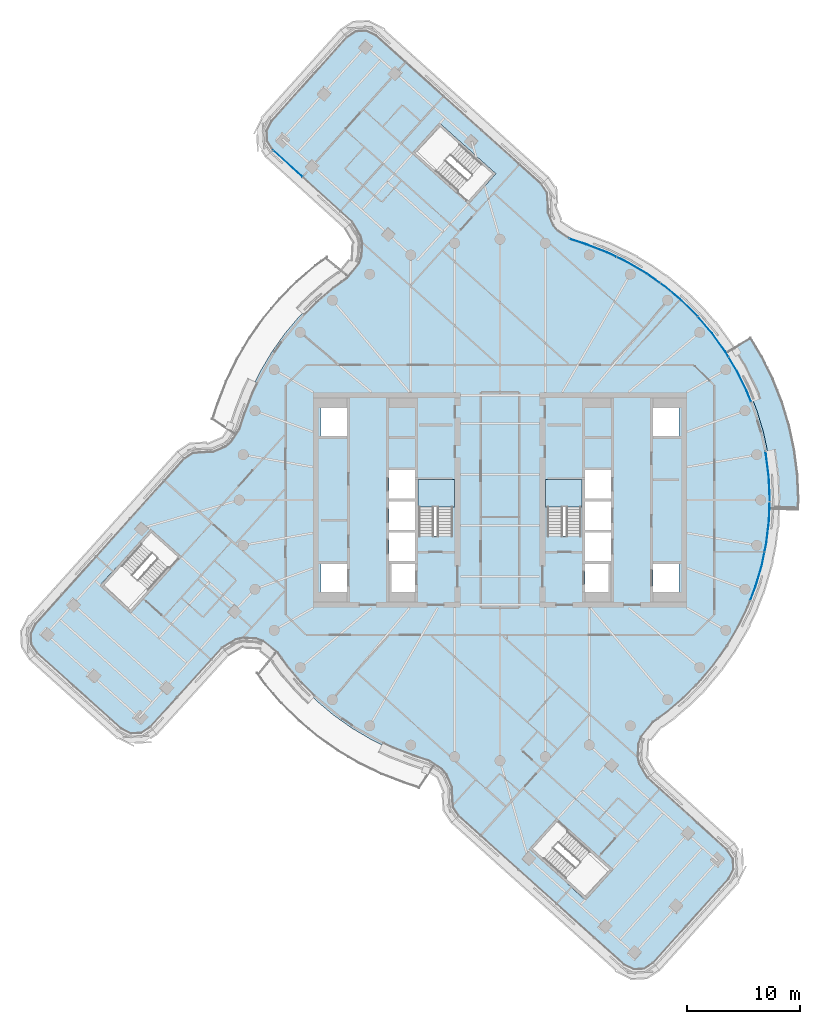
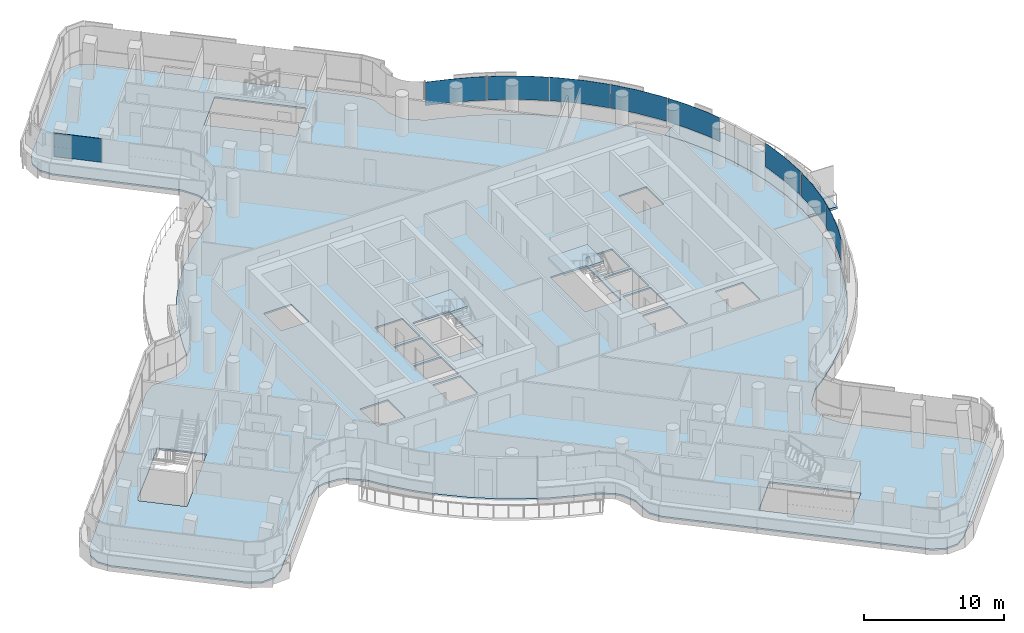
# One storey, part 17 of 31: 9 plates, 4 slabs, 4 elements without a shape of their own.
"""IFC4 building model written with IfcOpenShell, lengths in metres."""

from ifc_helpers import new_model, si_unit, direction, frame, origin, place, context, subcontext, project, spatial, polyline, outline, extrude, material, layer, layer_set, type_object, element, aggregate, save


model = new_model("IFC4")

# Units and contexts
model_context = context("Model", 3, precision=1e-05, world=origin(), true_north=direction((0.0, 1.0)))
body_context = subcontext(model_context, "Body", "Model", "MODEL_VIEW")
ifc_project = project(units=[si_unit("LENGTHUNIT", "METRE"), si_unit("AREAUNIT", "SQUARE_METRE"), si_unit("VOLUMEUNIT", "CUBIC_METRE"), si_unit("PLANEANGLEUNIT", "RADIAN"), si_unit("MASSUNIT", "GRAM", prefix="KILO")], contexts=[model_context])

# Site, building, storey
site_placement = place(None, origin())
site = spatial("IfcSite", under=ifc_project, at=site_placement, CompositionType="ELEMENT")
building_placement = place(site_placement, origin())
building = spatial("IfcBuilding", under=site, at=building_placement, Name="Tamarind Cross Interchange Tower", CompositionType="ELEMENT")
storey_placement = place(building_placement, frame((0.0, 0.0, 207.699951171875)))
storey = spatial("IfcBuildingStorey", under=building, at=storey_placement, Name="L52", CompositionType="ELEMENT", Elevation=207.699951171875)

# Slabs
ifc_material_1 = material(Name="Precast concrete C40", Category="concrete")
ifc_layer_1 = layer(ifc_material_1, 0.199951171875)
ifc_layer_set_1 = layer_set([ifc_layer_1], Name="Precast concrete C40")
slab_type_1 = type_object("IfcSlabType", Name="Balcony slab", PredefinedType="BASESLAB", material=ifc_layer_set_1)
slab_1_placement = place(storey_placement, frame((0.0, 0.0, -0.199951171875)))
element("IfcSlab", 1, at=slab_1_placement, inside=storey, type_object=slab_type_1, Name="SLB-L52-BAL06", PredefinedType="BASESLAB", context=body_context, shape_type="SweptSolid", body=[
    extrude(outline(polyline([(23.963623046875, -0.766357421875), (23.995849609375, 0.103271484375), (23.9052734375, 2.08447265625), (23.6513671875, 4.051513671875), (23.236083984375, 5.99072265625), (22.662109375, 7.88916015625), (21.93310546875, 9.733642578125), (21.054443359375, 11.511474609375), (20.115234375, 13.072509765625), (22.171630859375, 14.309814453125), (23.162109375, 12.663818359375), (24.128662109375, 10.7080078125), (24.9306640625, 8.6787109375), (25.56201171875, 6.59033203125), (26.01904296875, 4.45703125), (26.298095703125, 2.293212890625), (26.397705078125, 0.113525390625), (26.36181640625, -0.855224609375), (23.963623046875, -0.766357421875)])), origin(), (0.0, 0.0, 1.0), 0.199951171875),
])
ifc_material_2 = material(Name="Concrete C35", Category="concrete")
ifc_layer_2 = layer(ifc_material_2, 0.139892578125)
ifc_layer_set_2 = layer_set([ifc_layer_2], Name="Concrete C35")
slab_type_2 = type_object("IfcSlabType", Name="Composite slab 140 Concrete C35", PredefinedType="FLOOR", material=ifc_layer_set_2)
slab_2_placement = place(storey_placement, frame((0.0, 0.0, -0.139892578125)))
element("IfcSlab", 2, at=slab_2_placement, inside=storey, type_object=slab_type_2, Name="Floor slab L52", PredefinedType="FLOOR", context=body_context, shape_type="SweptSolid", body=[
    extrude(outline(polyline([(-27.169189453125, 4.341796875), (-28.00830078125, 3.78662109375), (-41.126708984375, -10.81396484375), (-41.595703125, -11.73681640625), (-41.540283203125, -12.770751953125), (-40.9755859375, -13.638427734375), (-33.537109375, -20.32177734375), (-32.614013671875, -20.790771484375), (-31.580322265625, -20.735595703125), (-30.712646484375, -20.170654296875), (-24.364013671875, -13.17041015625), (-23.238037109375, -12.49462890625), (-22.680419921875, -12.356689453125), (-21.52001953125, -12.421875), (-20.981201171875, -12.62109375), (-19.732177734375, -13.630615234375), (-18.87255859375, -14.820068359375), (-17.584228515625, -16.327880859375), (-16.17578125, -17.72412109375), (-14.656982421875, -18.99951171875), (-13.0380859375, -20.14501953125), (-11.329833984375, -21.15283203125), (-9.54443359375, -22.01611328125), (-7.693603515625, -22.72900390625), (-6.324951171875, -23.180419921875), (-5.24951171875, -23.886962890625), (-4.8876953125, -24.318603515625), (-4.4384765625, -25.364990234375), (-4.418212890625, -26.166015625), (-4.341796875, -27.169189453125), (-3.78662109375, -28.00830078125), (10.81396484375, -41.126708984375), (11.73681640625, -41.595703125), (12.770751953125, -41.540283203125), (13.638427734375, -40.9755859375), (20.32177734375, -33.537109375), (20.790771484375, -32.614013671875), (20.735595703125, -31.580322265625), (20.170654296875, -30.712646484375), (13.17041015625, -24.364013671875), (12.49462890625, -23.238037109375), (12.356689453125, -22.680419921875), (12.421875, -21.52001953125), (12.62109375, -20.981201171875), (13.630615234375, -19.732177734375), (14.820068359375, -18.87255859375), (16.327880859375, -17.584228515625), (17.72412109375, -16.17578125), (18.99951171875, -14.656982421875), (20.14501953125, -13.0380859375), (21.15283203125, -11.329833984375), (22.01611328125, -9.54443359375), (22.72900390625, -7.693603515625), (23.286865234375, -5.79052734375), (23.685546875, -3.84765625), (23.92236328125, -1.878662109375), (23.99560546875, 0.103271484375), (23.9052734375, 2.08447265625), (23.651611328125, 4.051513671875), (23.236083984375, 5.99072265625), (22.662109375, 7.88916015625), (21.93310546875, 9.7333984375), (21.054443359375, 11.511474609375), (20.031982421875, 13.2109375), (18.87255859375, 14.820068359375), (17.584228515625, 16.327880859375), (16.17578125, 17.72412109375), (14.656982421875, 18.99951171875), (13.0380859375, 20.14501953125), (11.329833984375, 21.15283203125), (9.54443359375, 22.01611328125), (7.693603515625, 22.72900390625), (6.324951171875, 23.180419921875), (5.24951171875, 23.886962890625), (4.8876953125, 24.318603515625), (4.4384765625, 25.364990234375), (4.418212890625, 26.166015625), (4.341796875, 27.169189453125), (3.78662109375, 28.00830078125), (-10.81396484375, 41.126708984375), (-11.73681640625, 41.595703125), (-12.770751953125, 41.540283203125), (-13.638427734375, 40.9755859375), (-20.32177734375, 33.537109375), (-20.790771484375, 32.614013671875), (-20.735595703125, 31.580322265625), (-20.170654296875, 30.712646484375), (-13.17041015625, 24.364013671875), (-12.49462890625, 23.238037109375), (-12.356689453125, 22.680419921875), (-12.421875, 21.52001953125), (-12.62109375, 20.981201171875), (-13.630615234375, 19.732177734375), (-14.820068359375, 18.87255859375), (-16.327880859375, 17.584228515625), (-17.72412109375, 16.17578125), (-18.99951171875, 14.656982421875), (-20.14501953125, 13.0380859375), (-21.15283203125, 11.329833984375), (-22.01611328125, 9.54443359375), (-22.72900390625, 7.693603515625), (-23.180419921875, 6.324951171875), (-23.886962890625, 5.24951171875), (-24.318603515625, 4.8876953125), (-25.364990234375, 4.4384765625), (-26.166015625, 4.418212890625), (-27.169189453125, 4.341796875)]), holes=[polyline([(-32.871826171875, -4.918212890625), (-30.78369140625, -2.593994140625), (-30.634765625, -2.727783203125), (-28.25439453125, -4.866455078125), (-28.105712890625, -5.0), (-32.58349609375, -9.98388671875), (-32.732421875, -9.85009765625), (-35.11279296875, -7.71142578125), (-35.261474609375, -7.577880859375), (-35.07080078125, -7.36572265625), (-35.11474609375, -7.32470703125), (-32.871826171875, -4.918212890625)]), polyline([(-13.5, -8.125), (-15.800048828125, -8.125), (-15.800048828125, -5.625), (-13.5, -5.625), (-13.5, -8.125)]), polyline([(-7.5, -8.125), (-9.800048828125, -8.125), (-9.800048828125, -5.625), (-7.5, -5.625), (-7.5, -8.125)]), polyline([(-7.5, -5.375), (-9.800048828125, -5.375), (-9.800048828125, -2.875), (-7.5, -2.875), (-7.5, -5.375)]), polyline([(-7.5, -2.625), (-9.800048828125, -2.625), (-9.800048828125, -0.125), (-7.5, -0.125), (-7.5, -2.625)]), polyline([(-4.199951171875, 1.800048828125), (-4.199951171875, -3.18798828125), (-7.14990234375, -3.18798828125), (-7.14990234375, 1.800048828125), (-4.199951171875, 1.800048828125)]), polyline([(-7.5, 0.125), (-9.800048828125, 0.125), (-9.800048828125, 2.625), (-7.5, 2.625), (-7.5, 0.125)]), polyline([(-13.5, 5.625), (-15.800048828125, 5.625), (-15.800048828125, 8.125), (-13.5, 8.125), (-13.5, 5.625)]), polyline([(-0.49609375, 28.6298828125), (-2.634765625, 26.24951171875), (-2.7685546875, 26.1005859375), (-7.752197265625, 30.57861328125), (-7.61865234375, 30.727294921875), (-5.47998046875, 33.107666015625), (-5.34619140625, 33.25634765625), (-5.1337890625, 33.0654296875), (-5.130126953125, 33.0693359375), (-4.918212890625, 32.871826171875), (-0.362548828125, 28.778564453125), (-0.49609375, 28.6298828125)]), polyline([(4.918212890625, -32.871826171875), (2.593994140625, -30.78369140625), (2.727783203125, -30.634765625), (4.866455078125, -28.25439453125), (5.0, -28.105712890625), (9.98388671875, -32.58349609375), (9.85009765625, -32.732421875), (7.71142578125, -35.11279296875), (7.577880859375, -35.261474609375), (7.36572265625, -35.07080078125), (7.32470703125, -35.11474609375), (4.918212890625, -32.871826171875)]), polyline([(7.5, -5.625), (9.800048828125, -5.625), (9.800048828125, -8.125), (7.5, -8.125), (7.5, -5.625)]), polyline([(13.5, -5.625), (15.800048828125, -5.625), (15.800048828125, -8.125), (13.5, -8.125), (13.5, -5.625)]), polyline([(7.5, -2.875), (9.800048828125, -2.875), (9.800048828125, -5.375), (7.5, -5.375), (7.5, -2.875)]), polyline([(7.5, -0.125), (9.800048828125, -0.125), (9.800048828125, -2.625), (7.5, -2.625), (7.5, -0.125)]), polyline([(7.14990234375, 1.800048828125), (7.14990234375, -3.18798828125), (4.199951171875, -3.18798828125), (4.199951171875, 1.800048828125), (7.14990234375, 1.800048828125)]), polyline([(7.5, 2.625), (9.800048828125, 2.625), (9.800048828125, 0.125), (7.5, 0.125), (7.5, 2.625)]), polyline([(13.5, 8.125), (15.800048828125, 8.125), (15.800048828125, 5.625), (13.5, 5.625), (13.5, 8.125)])]), origin(), (0.0, 0.0, 1.0), 0.139892578125),
])

# Stair, slab
ifc_material_3 = material(Name="Exit stair")
stair_type = type_object("IfcStairType", Name="Exit stair", PredefinedType="HALF_TURN_STAIR", material=ifc_material_3)
stair_1_placement = place(storey_placement, origin())
stair_1 = element("IfcStair", 3, at=stair_1_placement, inside=storey, type_object=stair_type, Name="L52 exit stair ST1", PredefinedType="HALF_TURN_STAIR")
ifc_material_4 = material(Name="Concrete C40", Category="concrete")
ifc_layer_3 = layer(ifc_material_4, 0.199951171875)
ifc_layer_set_3 = layer_set([ifc_layer_3], Name="Concrete C40")
slab_type_3 = type_object("IfcSlabType", Name="Stair landing", PredefinedType="LANDING", material=ifc_layer_set_3)
slab_3_placement = place(storey_placement, frame((0.0, 0.0, 1.60009765625)))
slab_3 = element("IfcSlab", 4, at=slab_3_placement, type_object=slab_type_3, Name="ST1 landing 1", PredefinedType="LANDING", context=body_context, shape_type="SweptSolid", body=[
    extrude(outline(polyline([(-4.0, -0.60009765625), (-4.0, 1.800048828125), (-7.25, 1.800048828125), (-7.25, -0.60009765625), (-4.0, -0.60009765625)])), origin(), (0.0, 0.0, 1.0), 0.199951171875),
])
aggregate(stair_1, [slab_3])

stair_2_placement = place(storey_placement, origin())
stair_2 = element("IfcStair", 5, at=stair_2_placement, inside=storey, type_object=stair_type, Name="L52 exit stair ST2", PredefinedType="HALF_TURN_STAIR")
slab_4_placement = place(storey_placement, frame((0.0, 0.0, 1.60009765625)))
slab_4 = element("IfcSlab", 6, at=slab_4_placement, type_object=slab_type_3, Name="ST2 landing 1", PredefinedType="LANDING", context=body_context, shape_type="SweptSolid", body=[
    extrude(outline(polyline([(7.25, -0.60009765625), (7.25, 1.800048828125), (4.0, 1.800048828125), (4.0, -0.60009765625), (7.25, -0.60009765625)])), origin(), (0.0, 0.0, 1.0), 0.199951171875),
])
aggregate(stair_2, [slab_4])

# Curtain wall, plates
ifc_material_5 = material(Name="Aluminium 6063-T6", Category="aluminium")
ifc_layer_4 = layer(ifc_material_5, 0.139892578125)
ifc_layer_set_4 = layer_set([ifc_layer_4], Name="Aluminium 6063-T6")
curtain_wall_type = type_object("IfcCurtainWallType", Name="Hotel curtain wall, 4.5 m bays", PredefinedType="NOTDEFINED", material=ifc_layer_set_4)
curtain_wall_1_placement = place(storey_placement, origin())
curtain_wall_1 = element("IfcCurtainWall", 7, at=curtain_wall_1_placement, inside=storey, type_object=curtain_wall_type, Name="CWS-L52-06", PredefinedType="NOTDEFINED")
ifc_material_6 = material(Name="Laminated low-e glass 6+1.52+6", Category="glass")
ifc_layer_5 = layer(ifc_material_6, 0.02392578125)
ifc_layer_set_5 = layer_set([ifc_layer_5], Name="Laminated low-e glass 6+1.52+6")
plate_type = type_object("IfcPlateType", Name="Vision panel CW2", PredefinedType="CURTAIN_PANEL", material=ifc_layer_set_5)
plate_1_placement = place(storey_placement, frame((0.0, 0.0, 1.400146484375)))
plate_1 = element("IfcPlate", 8, at=plate_1_placement, type_object=plate_type, Name="CWP-L52-06-04", PredefinedType="CURTAIN_PANEL", context=body_context, shape_type="SweptSolid", body=[
    extrude(outline(polyline([(22.06591796875, -8.82568359375), (22.528076171875, -7.625732421875), (23.080810546875, -5.7392578125), (23.312744140625, -4.609375), (23.336181640625, -4.614013671875), (23.104248046875, -5.7451171875), (22.55078125, -7.63330078125), (22.088134765625, -8.834228515625), (22.06591796875, -8.82568359375)])), origin(), (0.0, 0.0, 1.0), 2.059814453125),
])
plate_2_placement = place(storey_placement, frame((0.0, 0.0, 1.400146484375)))
plate_2 = element("IfcPlate", 9, at=plate_2_placement, type_object=plate_type, Name="CWP-L52-06-05", PredefinedType="CURTAIN_PANEL", context=body_context, shape_type="SweptSolid", body=[
    extrude(outline(polyline([(23.324951171875, -4.550537109375), (23.47607421875, -3.813720703125), (23.710693359375, -1.862060546875), (23.773193359375, -0.176025390625), (23.797119140625, -0.1767578125), (23.734619140625, -1.864013671875), (23.499755859375, -3.817626953125), (23.348388671875, -4.555419921875), (23.324951171875, -4.550537109375)])), origin(), (0.0, 0.0, 1.0), 2.059814453125),
])
plate_3_placement = place(storey_placement, frame((0.0, 0.0, 1.400146484375)))
plate_3 = element("IfcPlate", 10, at=plate_3_placement, type_object=plate_type, Name="CWP-L52-06-06", PredefinedType="CURTAIN_PANEL", context=body_context, shape_type="SweptSolid", body=[
    extrude(outline(polyline([(23.775390625, -0.115966796875), (23.783447265625, 0.102294921875), (23.69384765625, 2.06591796875), (23.4423828125, 4.015625), (23.38916015625, 4.263671875), (23.41259765625, 4.268798828125), (23.466064453125, 4.019775390625), (23.7177734375, 2.068115234375), (23.8076171875, 0.1025390625), (23.799560546875, -0.116943359375), (23.775390625, -0.115966796875)])), origin(), (0.0, 0.0, 1.0), 2.059814453125),
])
plate_4_placement = place(storey_placement, frame((0.0, 0.0, 1.400146484375)))
plate_4 = element("IfcPlate", 11, at=plate_4_placement, type_object=plate_type, Name="CWP-L52-06-08", PredefinedType="CURTAIN_PANEL", context=body_context, shape_type="SweptSolid", body=[
    extrude(outline(polyline([(22.131103515625, 8.65576171875), (21.7392578125, 9.6474609375), (20.868408203125, 11.40966796875), (20.160400390625, 12.58642578125), (20.180908203125, 12.5986328125), (20.889404296875, 11.421142578125), (21.76123046875, 9.6572265625), (22.1533203125, 8.66455078125), (22.131103515625, 8.65576171875)])), origin(), (0.0, 0.0, 1.0), 2.059814453125),
])
plate_5_placement = place(storey_placement, frame((0.0, 0.0, 1.400146484375)))
plate_5 = element("IfcPlate", 12, at=plate_5_placement, type_object=plate_type, Name="CWP-L52-06-09", PredefinedType="CURTAIN_PANEL", context=body_context, shape_type="SweptSolid", body=[
    extrude(outline(polyline([(20.12939453125, 12.6376953125), (19.854736328125, 13.093994140625), (18.705810546875, 14.68896484375), (17.467041015625, 16.138671875), (17.4853515625, 16.154296875), (18.724609375, 14.703857421875), (19.874755859375, 13.107177734375), (20.14990234375, 12.650146484375), (20.12939453125, 12.6376953125)])), origin(), (0.0, 0.0, 1.0), 2.059814453125),
])
plate_6_placement = place(storey_placement, frame((0.0, 0.0, 1.400146484375)))
plate_6 = element("IfcPlate", 13, at=plate_6_placement, type_object=plate_type, Name="CWP-L52-06-10", PredefinedType="CURTAIN_PANEL", context=body_context, shape_type="SweptSolid", body=[
    extrude(outline(polyline([(17.4287109375, 16.18359375), (16.032958984375, 17.5673828125), (14.52734375, 18.83154296875), (14.14111328125, 19.104736328125), (14.15478515625, 19.124267578125), (14.5419921875, 18.850341796875), (16.049072265625, 17.585205078125), (17.44580078125, 16.200439453125), (17.4287109375, 16.18359375)])), origin(), (0.0, 0.0, 1.0), 2.059814453125),
])
plate_7_placement = place(storey_placement, frame((0.0, 0.0, 1.400146484375)))
plate_7 = element("IfcPlate", 14, at=plate_7_placement, type_object=plate_type, Name="CWP-L52-06-11", PredefinedType="CURTAIN_PANEL", context=body_context, shape_type="SweptSolid", body=[
    extrude(outline(polyline([(14.092041015625, 19.139404296875), (12.922607421875, 19.966796875), (11.229736328125, 20.9658203125), (10.322998046875, 21.404052734375), (10.33349609375, 21.42578125), (11.240966796875, 20.98681640625), (12.935791015625, 19.987060546875), (14.10595703125, 19.158935546875), (14.092041015625, 19.139404296875)])), origin(), (0.0, 0.0, 1.0), 2.059814453125),
])
plate_8_placement = place(storey_placement, frame((0.0, 0.0, 1.400146484375)))
plate_8 = element("IfcPlate", 15, at=plate_8_placement, type_object=plate_type, Name="CWP-L52-06-12", PredefinedType="CURTAIN_PANEL", context=body_context, shape_type="SweptSolid", body=[
    extrude(outline(polyline([(10.26904296875, 21.43017578125), (9.4599609375, 21.821533203125), (7.622314453125, 22.529296875), (6.23193359375, 22.988037109375), (6.1435546875, 23.046142578125), (6.15673828125, 23.066162109375), (6.242431640625, 23.009765625), (7.63037109375, 22.552001953125), (9.469482421875, 21.843505859375), (10.279541015625, 21.451904296875), (10.26904296875, 21.43017578125)])), origin(), (0.0, 0.0, 1.0), 2.059814453125),
])
aggregate(curtain_wall_1, [plate_1, plate_2, plate_3, plate_4, plate_5, plate_6, plate_7, plate_8])

# Curtain wall, plate
curtain_wall_2_placement = place(storey_placement, origin())
curtain_wall_2 = element("IfcCurtainWall", 16, at=curtain_wall_2_placement, inside=storey, type_object=curtain_wall_type, Name="CWS-L52-09", PredefinedType="NOTDEFINED")
plate_9_placement = place(storey_placement, frame((0.0, 0.0, 1.400146484375)))
plate_9 = element("IfcPlate", 17, at=plate_9_placement, type_object=plate_type, Name="CWP-L52-09-00", PredefinedType="CURTAIN_PANEL", context=body_context, shape_type="SweptSolid", body=[
    extrude(outline(polyline([(-19.987060546875, 30.832275390625), (-17.417724609375, 28.501953125), (-17.433837890625, 28.484375), (-20.003173828125, 30.814453125), (-19.987060546875, 30.832275390625)])), origin(), (0.0, 0.0, 1.0), 2.059814453125),
])
aggregate(curtain_wall_2, [plate_9])

save(model, "model.ifc")
